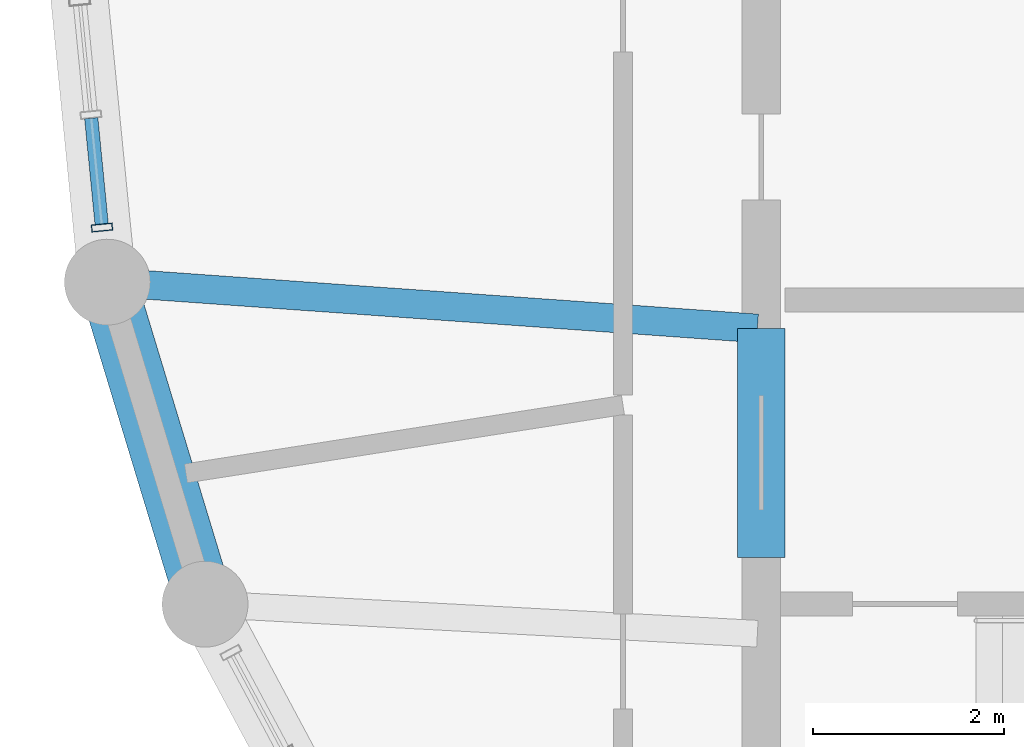
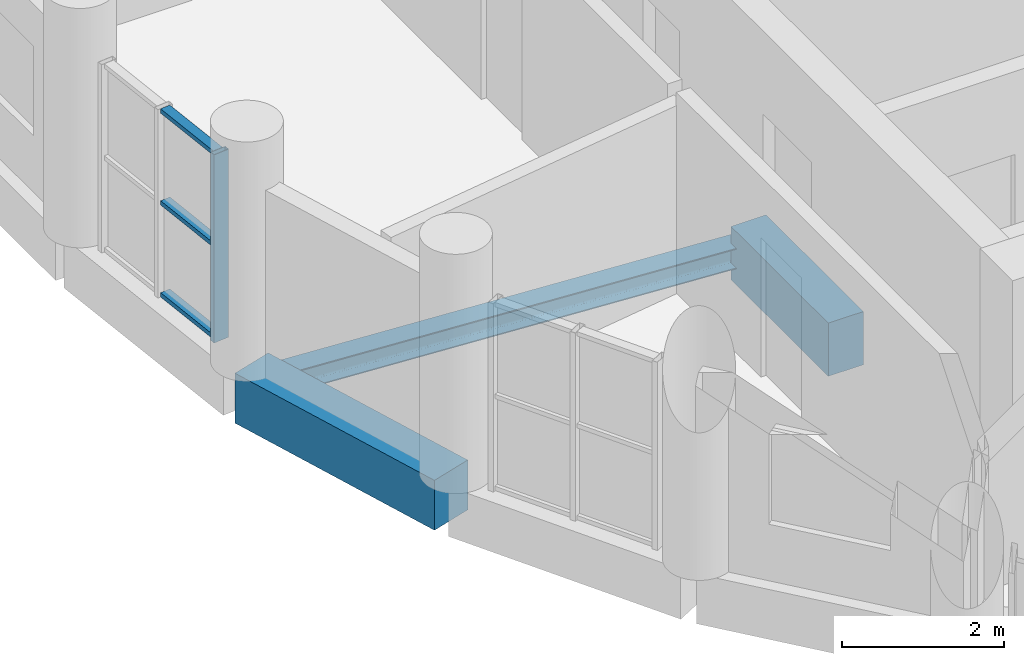
# One storey, part 3 of 12: 4 members, 3 beams, 1 element without a shape of its own.
"""IFC4 building model written with IfcOpenShell, lengths in metres."""

from ifc_helpers import new_model, si_unit, direction, frame, origin, origin_2d, place, context, subcontext, project, spatial, rectangle, hollow_rectangle, i_section, extrude, material, layer, layer_set, material_profile, profile_set, type_object, element, aggregate, save


model = new_model("IFC4")

# Units and contexts
model_context = context("Model", 3, precision=1e-05, world=origin(), true_north=direction((0.0, 1.0)))
body_context = subcontext(model_context, "Body", "Model", "MODEL_VIEW")
ifc_project = project(units=[si_unit("LENGTHUNIT", "METRE"), si_unit("AREAUNIT", "SQUARE_METRE"), si_unit("VOLUMEUNIT", "CUBIC_METRE"), si_unit("PLANEANGLEUNIT", "RADIAN"), si_unit("MASSUNIT", "GRAM", prefix="KILO")], contexts=[model_context])

# Site, building, storey
site_placement = place(None, origin())
site = spatial("IfcSite", under=ifc_project, at=site_placement, CompositionType="ELEMENT")
building_placement = place(site_placement, origin())
building = spatial("IfcBuilding", under=site, at=building_placement, Name="Solnavia Interchange Tower", CompositionType="ELEMENT")
storey_placement = place(building_placement, frame((0.0, 0.0, 228.199951171875)))
storey = spatial("IfcBuildingStorey", under=building, at=storey_placement, Name="L57", CompositionType="ELEMENT", Elevation=228.199951171875)

# Beams
ifc_material_1 = material(Name="Concrete C50/60", Category="concrete")
ifc_material_profile_1 = material_profile(ifc_material_1, rectangle(XDim=0.5, YDim=0.800048828125, at=origin_2d()), Name="RC 500x800")
ifc_profile_set_1 = profile_set([ifc_material_profile_1], Name="Concrete C50/60")
beam_type_1 = type_object("IfcBeamType", Name="Beam-Coupling-RC500x800", PredefinedType="LINTEL", material=ifc_profile_set_1)
beam_1_placement = place(storey_placement, frame((14.39990234375, 15.199951171875, -0.39990234375), z_axis=(0.0, 1.0, 0.0), x_axis=(-1.0, 0.0, 0.0)))
element("IfcBeam", 1, at=beam_1_placement, inside=storey, type_object=beam_type_1, Name="CPB-L57-W1 Core coupling lintel beam", PredefinedType="LINTEL", context=body_context, shape_type="SweptSolid", body=[
    extrude(rectangle(XDim=0.5, YDim=0.800048828125, at=origin_2d()), origin(), (0.0, 0.0, 1.0), 2.400146484375),
])
ifc_material_2 = material(Name="Steel S355", Category="steel")
ifc_material_profile_2 = material_profile(ifc_material_2, i_section(OverallWidth=0.300048828125, OverallDepth=0.31005859375, WebThickness=0.009033203125, FlangeThickness=0.015380859375, FilletRadius=0.027099609375, at=origin_2d()), Name="HEA 320")
ifc_profile_set_2 = profile_set([ifc_material_profile_2], Name="Steel S355")
beam_type_2 = type_object("IfcBeamType", Name="Beam-Primary-HEA320", PredefinedType="BEAM", material=ifc_profile_set_2)
beam_2_placement = place(storey_placement, frame((7.625732421875, 18.082275390625, -0.405029296875), z_axis=(0.99747482749, -0.071020902015, 0.0), x_axis=(0.071020902015, 0.99747482749, 0.0)))
element("IfcBeam", 2, at=beam_2_placement, inside=storey, type_object=beam_type_2, Name="GRD-L57-DR05 Drum radial floor girder", PredefinedType="BEAM", context=body_context, shape_type="SweptSolid", body=[
    extrude(i_section(OverallWidth=0.300048828125, OverallDepth=0.31005859375, WebThickness=0.009033203125, FlangeThickness=0.015380859375, FilletRadius=0.027099609375, at=origin_2d()), origin(), (0.0, 0.0, 1.0), 6.75146484375),
])
ifc_material_profile_3 = material_profile(ifc_material_1, rectangle(XDim=0.60009765625, YDim=0.75, at=origin_2d()), Name="RC 600x750")
ifc_profile_set_3 = profile_set([ifc_material_profile_3], Name="Concrete C50/60")
beam_type_3 = type_object("IfcBeamType", Name="Beam-Spandrel-RC600x750", PredefinedType="SPANDREL", material=ifc_profile_set_3)
beam_3_placement = place(storey_placement, frame((7.569091796875, 18.011474609375, -0.375), z_axis=(0.290319223646, -0.956929855518, 0.0), x_axis=(0.956929855518, 0.290319223646, 0.0)))
element("IfcBeam", 3, at=beam_3_placement, inside=storey, type_object=beam_type_3, Name="SPB-L57-02 Framed-tube perimeter spandrel beam", PredefinedType="SPANDREL", context=body_context, shape_type="SweptSolid", body=[
    extrude(rectangle(XDim=0.60009765625, YDim=0.75, at=origin_2d()), origin(), (0.0, 0.0, 1.0), 3.367919921875),
])

# Curtain wall, members
ifc_material_3 = material(Name="Aluminium Alloy 6063-T6", Category="aluminium")
ifc_layer = layer(ifc_material_3, 0.239990234375)
ifc_layer_set = layer_set([ifc_layer], Name="Aluminium Alloy 6063-T6")
curtain_wall_type = type_object("IfcCurtainWallType", Name="CurtainWall-Drum-CTW2", PredefinedType="NOTDEFINED", material=ifc_layer_set)
curtain_wall_placement = place(storey_placement, origin())
curtain_wall = element("IfcCurtainWall", 4, at=curtain_wall_placement, inside=storey, type_object=curtain_wall_type, Name="CTW-L57-D37 CTW-2 curtain wall", PredefinedType="NOTDEFINED")
ifc_material_profile_4 = material_profile(ifc_material_3, hollow_rectangle(XDim=0.074951171875, YDim=0.219970703125, WallThickness=0.0048828125, at=origin_2d()), Name="ALU 220x75x5")
ifc_profile_set_4 = profile_set([ifc_material_profile_4], Name="Aluminium Alloy 6063-T6")
member_type_1 = type_object("IfcMemberType", Name="CW-Mullion-CWM-2", PredefinedType="MULLION", material=ifc_profile_set_4)
member_1_placement = place(storey_placement, frame((7.489501953125, 18.66015625, 0.0), z_axis=(0.0, 0.0, 1.0), x_axis=(0.098043088306, -0.995182170678, 0.0)))
member_1 = element("IfcMember", 5, at=member_1_placement, type_object=member_type_1, Name="CTW-2 mullion 3", PredefinedType="MULLION", context=body_context, shape_type="SweptSolid", body=[
    extrude(hollow_rectangle(XDim=0.074951171875, YDim=0.219970703125, WallThickness=0.0048828125, at=origin_2d()), origin(), (0.0, 0.0, 1.0), 2.830078125),
])
ifc_material_profile_5 = material_profile(ifc_material_3, hollow_rectangle(XDim=0.06494140625, YDim=0.139892578125, WallThickness=0.00390625, at=origin_2d()), Name="ALU 140x65x4")
ifc_profile_set_5 = profile_set([ifc_material_profile_5], Name="Aluminium Alloy 6063-T6")
member_type_2 = type_object("IfcMemberType", Name="CW-Transom-CWT-2", PredefinedType="USERDEFINED", material=ifc_profile_set_5)
member_2_placement = place(storey_placement, frame((7.376708984375, 19.806640625, 0.032470703125), z_axis=(0.097920280653, -0.995194261758, 0.0), x_axis=(0.0, 0.0, 1.0)))
member_2 = element("IfcMember", 6, at=member_2_placement, type_object=member_type_2, Name="CTW-2 transom 2.1", ObjectType="TRANSOM", PredefinedType="USERDEFINED", context=body_context, shape_type="SweptSolid", body=[
    extrude(hollow_rectangle(XDim=0.06494140625, YDim=0.139892578125, WallThickness=0.00390625, at=origin_2d()), origin(), (0.0, 0.0, 1.0), 1.114501953125),
])
member_3_placement = place(storey_placement, frame((7.376708984375, 19.806640625, 1.4150390625), z_axis=(0.097920280653, -0.995194261758, 0.0), x_axis=(0.0, 0.0, 1.0)))
member_3 = element("IfcMember", 7, at=member_3_placement, type_object=member_type_2, Name="CTW-2 transom 2.2", ObjectType="TRANSOM", PredefinedType="USERDEFINED", context=body_context, shape_type="SweptSolid", body=[
    extrude(hollow_rectangle(XDim=0.06494140625, YDim=0.139892578125, WallThickness=0.00390625, at=origin_2d()), origin(), (0.0, 0.0, 1.0), 1.114501953125),
])
member_4_placement = place(storey_placement, frame((7.376708984375, 19.806640625, 2.797607421875), z_axis=(0.097920280653, -0.995194261758, 0.0), x_axis=(0.0, 0.0, 1.0)))
member_4 = element("IfcMember", 8, at=member_4_placement, type_object=member_type_2, Name="CTW-2 transom 2.3", ObjectType="TRANSOM", PredefinedType="USERDEFINED", context=body_context, shape_type="SweptSolid", body=[
    extrude(hollow_rectangle(XDim=0.06494140625, YDim=0.139892578125, WallThickness=0.00390625, at=origin_2d()), origin(), (0.0, 0.0, 1.0), 1.114501953125),
])
aggregate(curtain_wall, [member_1, member_2, member_3, member_4])

save(model, "model.ifc")
